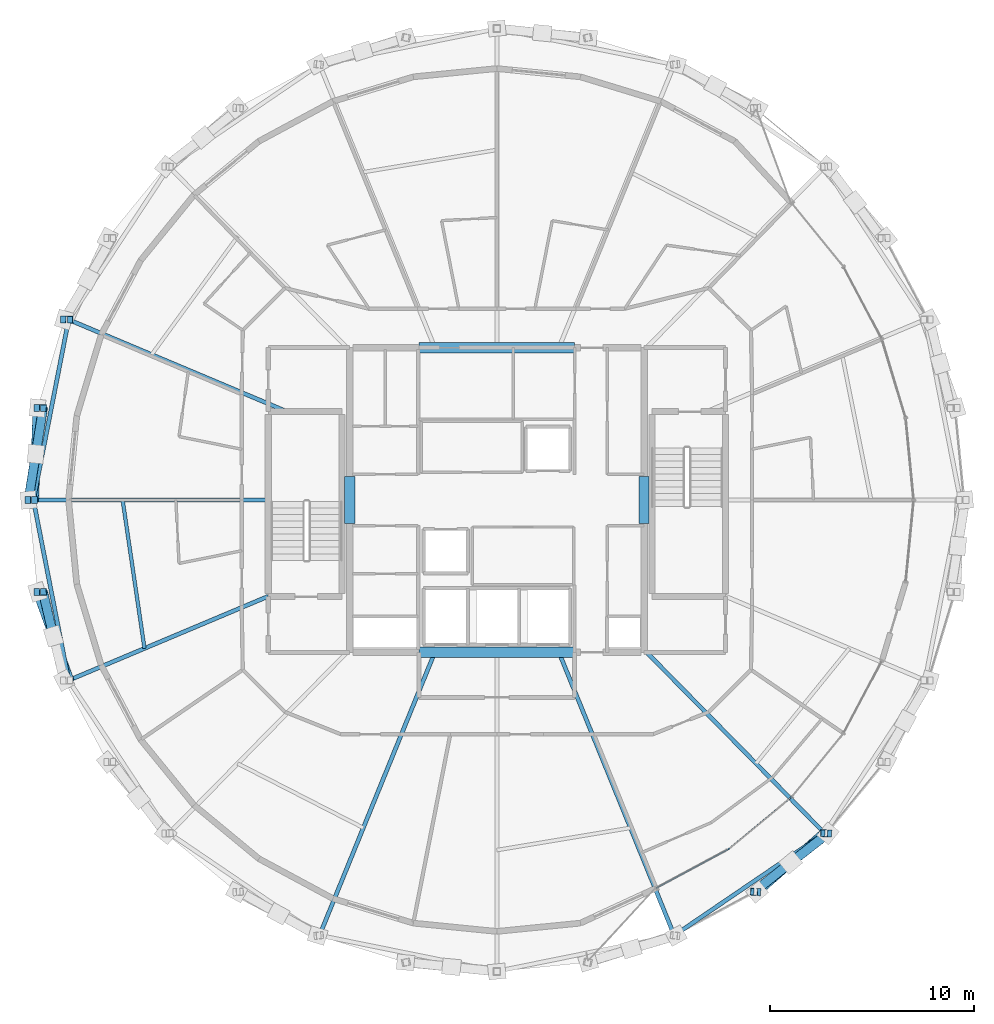
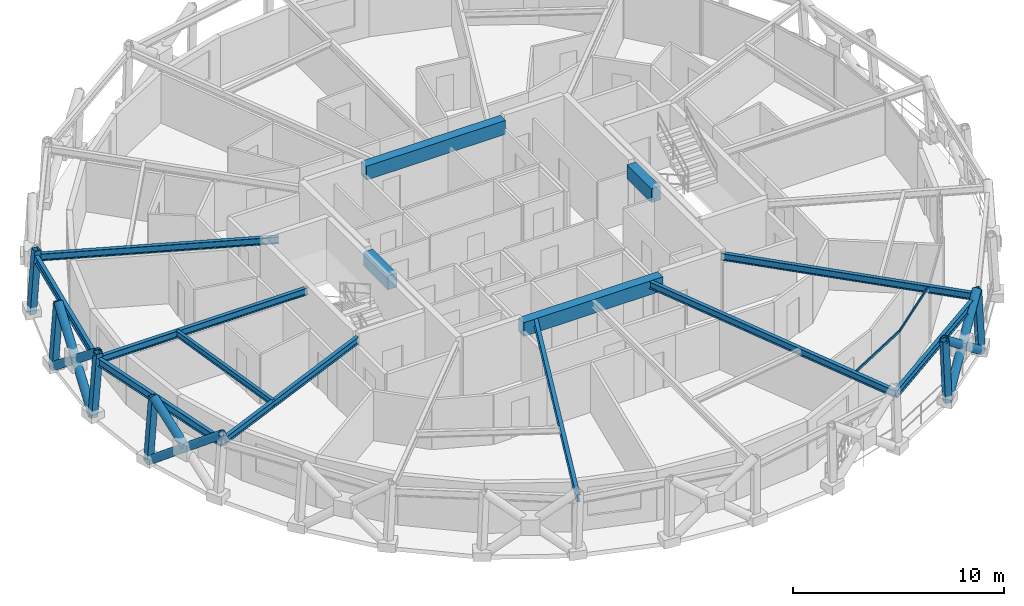
# One storey, part 3 of 15: 16 members, 14 beams, 1 element without a shape of its own.
"""IFC4 building model written with IfcOpenShell, lengths in metres."""

from ifc_helpers import new_model, si_unit, direction, frame, origin, origin_2d, place, context, subcontext, project, spatial, rectangle, hollow_rectangle, hollow_circle, i_section, extrude, material, layer, layer_set, material_profile, profile_set, type_object, element, aggregate, save


model = new_model("IFC4")

# Units and contexts
model_context = context("Model", 3, precision=1e-05, world=origin(), true_north=direction((0.0, 1.0)))
body_context = subcontext(model_context, "Body", "Model", "MODEL_VIEW")
ifc_project = project(units=[si_unit("LENGTHUNIT", "METRE"), si_unit("AREAUNIT", "SQUARE_METRE"), si_unit("VOLUMEUNIT", "CUBIC_METRE"), si_unit("PLANEANGLEUNIT", "RADIAN"), si_unit("MASSUNIT", "GRAM", prefix="KILO")], contexts=[model_context])

# Site, building, storey
site_placement = place(None, origin())
site = spatial("IfcSite", under=ifc_project, at=site_placement, CompositionType="ELEMENT")
building_placement = place(site_placement, origin())
building = spatial("IfcBuilding", under=site, at=building_placement, Name="Veldorina Hangang Commons", CompositionType="ELEMENT")
storey_placement = place(building_placement, frame((0.0, 0.0, 250.800048828125)))
storey = spatial("IfcBuildingStorey", under=building, at=storey_placement, Name="L65", CompositionType="ELEMENT", Elevation=250.800048828125)

# Beams
ifc_material_1 = material(Name="Concrete C50/60", Category="concrete")
ifc_material_profile_1 = material_profile(ifc_material_1, rectangle(XDim=0.5, YDim=0.800048828125, at=origin_2d()), Name="RC-CB-500x800")
ifc_profile_set_1 = profile_set([ifc_material_profile_1], Name="Concrete C50/60")
beam_type_1 = type_object("IfcBeamType", Name="BM-CB800", PredefinedType="LINTEL", material=ifc_profile_set_1)
for number, where, z_axis, x_axis, name in (
    (1, (24.800048828125, 22.85009765625, 2.9599609375), (0.0, 1.0, 0.0), (-1.0, 0.0, 0.0), "L65 W core coupling lintel beam"),
    (2, (39.199951171875, 22.85009765625, 2.9599609375), (0.0, 1.0, 0.0), (-1.0, 0.0, 0.0), "L65 E core coupling lintel beam"),
):
    element("IfcBeam", number, at=place(storey_placement, frame(where, z_axis=z_axis, x_axis=x_axis)), inside=storey, type_object=beam_type_1, Name=name, PredefinedType="LINTEL", context=body_context, shape_type="SweptSolid", body=[
        extrude(rectangle(XDim=0.5, YDim=0.800048828125, at=origin_2d()), origin(), (0.0, 0.0, 1.0), 2.2998046875),
    ])
for number, where, z_axis, x_axis, name in (
    (3, (28.199951171875, 16.550048828125, 2.9599609375), (1.0, 0.0, 0.0), (0.0, 1.0, 0.0), "L65 south core coupling beam"),
    (4, (28.199951171875, 31.449951171875, 2.9599609375), (1.0, 0.0, 0.0), (0.0, 1.0, 0.0), "L65 north core coupling beam"),
):
    element("IfcBeam", number, at=place(storey_placement, frame(where, z_axis=z_axis, x_axis=x_axis)), inside=storey, type_object=beam_type_1, Name=name, PredefinedType="LINTEL", context=body_context, shape_type="SweptSolid", body=[
        extrude(rectangle(XDim=0.5, YDim=0.800048828125, at=origin_2d()), origin(), (0.0, 0.0, 1.0), 7.60009765625),
    ])
ifc_material_2 = material(Name="Steel SM355-TMC", Category="steel")
ifc_material_profile_2 = material_profile(ifc_material_2, i_section(OverallWidth=0.199951171875, OverallDepth=0.39990234375, WebThickness=0.008056640625, FlangeThickness=0.012939453125, FilletRadius=0.012939453125, at=origin_2d()), Name="H-400x200x8x13")
ifc_profile_set_2 = profile_set([ifc_material_profile_2], Name="Steel SM355-TMC")
beam_type_2 = type_object("IfcBeamType", Name="BM-FG400", PredefinedType="BEAM", material=ifc_profile_set_2)
beam_1_placement = place(storey_placement, frame((21.743408203125, 28.320068359375, 3.159912109375), z_axis=(-0.921596519665, 0.388149268892, 0.0), x_axis=(-0.388149268892, -0.921596519665, 0.0)))
element("IfcBeam", 5, at=beam_1_placement, inside=storey, type_object=beam_type_2, Name="L65 radial floor girder 08", PredefinedType="BEAM", context=body_context, shape_type="SweptSolid", body=[
    extrude(i_section(OverallWidth=0.199951171875, OverallDepth=0.39990234375, WebThickness=0.008056640625, FlangeThickness=0.012939453125, FilletRadius=0.012939453125, at=origin_2d()), origin(), (0.0, 0.0, 1.0), 11.59228515625),
])
beam_2_placement = place(storey_placement, frame((20.820068359375, 24.0, 3.159912109375), z_axis=(-1.0, 0.0, 0.0), x_axis=(0.0, -1.0, 0.0)))
element("IfcBeam", 6, at=beam_2_placement, inside=storey, type_object=beam_type_2, Name="L65 radial floor girder 09", PredefinedType="BEAM", context=body_context, shape_type="SweptSolid", body=[
    extrude(i_section(OverallWidth=0.199951171875, OverallDepth=0.39990234375, WebThickness=0.008056640625, FlangeThickness=0.012939453125, FilletRadius=0.012939453125, at=origin_2d()), origin(), (0.0, 0.0, 1.0), 11.4853515625),
])
beam_3_placement = place(storey_placement, frame((20.820068359375, 19.291015625, 3.159912109375), z_axis=(-0.921597617778, -0.388146661594, 0.0), x_axis=(0.388146661594, -0.921597617778, 0.0)))
element("IfcBeam", 7, at=beam_3_placement, inside=storey, type_object=beam_type_2, Name="L65 radial floor girder 10", PredefinedType="BEAM", context=body_context, shape_type="SweptSolid", body=[
    extrude(i_section(OverallWidth=0.199951171875, OverallDepth=0.39990234375, WebThickness=0.008056640625, FlangeThickness=0.012939453125, FilletRadius=0.012939453125, at=origin_2d()), origin(), (0.0, 0.0, 1.0), 10.59033203125),
])
for number, where, z_axis, x_axis, name in (
    (8, (28.965087890625, 16.550048828125, 3.159912109375), (-0.377240852763, -0.926115186684, 0.0), (0.926115186684, -0.377240852763, 0.0), "L65 radial floor girder 12"),
    (9, (35.034912109375, 16.550048828125, 3.159912109375), (0.377240852763, -0.926115186684, 0.0), (0.926115186684, 0.377240852763, 0.0), "L65 radial floor girder 14"),
):
    element("IfcBeam", number, at=place(storey_placement, frame(where, z_axis=z_axis, x_axis=x_axis)), inside=storey, type_object=beam_type_2, Name=name, PredefinedType="BEAM", context=body_context, shape_type="SweptSolid", body=[
        extrude(i_section(OverallWidth=0.199951171875, OverallDepth=0.39990234375, WebThickness=0.008056640625, FlangeThickness=0.012939453125, FilletRadius=0.012939453125, at=origin_2d()), origin(), (0.0, 0.0, 1.0), 14.947021484375),
    ])
beam_4_placement = place(storey_placement, frame((39.199951171875, 16.6787109375, 3.159912109375), z_axis=(0.701176597394, -0.712987643138, 0.0), x_axis=(0.712987643138, 0.701176597394, 0.0)))
element("IfcBeam", 10, at=beam_4_placement, inside=storey, type_object=beam_type_2, Name="L65 radial floor girder 15", PredefinedType="BEAM", context=body_context, shape_type="SweptSolid", body=[
    extrude(i_section(OverallWidth=0.199951171875, OverallDepth=0.39990234375, WebThickness=0.008056640625, FlangeThickness=0.012939453125, FilletRadius=0.012939453125, at=origin_2d()), origin(), (0.0, 0.0, 1.0), 12.58837890625),
])
ifc_material_profile_3 = material_profile(ifc_material_2, i_section(OverallWidth=0.175048828125, OverallDepth=0.35009765625, WebThickness=0.007080078125, FlangeThickness=0.010986328125, FilletRadius=0.012939453125, at=origin_2d()), Name="H-350x175x7x11")
ifc_profile_set_3 = profile_set([ifc_material_profile_3], Name="Steel SM355-TMC")
beam_type_3 = type_object("IfcBeamType", Name="BM-JST350", PredefinedType="JOIST", material=ifc_profile_set_3)
beam_5_placement = place(storey_placement, frame((13.69921875, 24.0, 3.18505859375), z_axis=(0.145799618377, -0.989314141859, 0.0), x_axis=(0.989314141859, 0.145799618377, 0.0)))
element("IfcBeam", 11, at=beam_5_placement, inside=storey, type_object=beam_type_3, Name="L65 secondary floor joist 09", PredefinedType="JOIST", context=body_context, shape_type="SweptSolid", body=[
    extrude(i_section(OverallWidth=0.175048828125, OverallDepth=0.35009765625, WebThickness=0.007080078125, FlangeThickness=0.010986328125, FilletRadius=0.012939453125, at=origin_2d()), origin(), (0.0, 0.0, 1.0), 7.3359375),
])
ifc_material_profile_4 = material_profile(ifc_material_2, i_section(OverallWidth=0.199951171875, OverallDepth=0.449951171875, WebThickness=0.009033203125, FlangeThickness=0.013916015625, FilletRadius=0.01611328125, at=origin_2d()), Name="H-450x200x9x14")
ifc_profile_set_4 = profile_set([ifc_material_profile_4], Name="Steel SM355-TMC")
beam_type_4 = type_object("IfcBeamType", Name="BM-RB450", PredefinedType="BEAM", material=ifc_profile_set_4)
for number, where, z_axis, x_axis, name in (
    (12, (11.06005859375, 32.819580078125, 3.135009765625), (-0.19198714763, -0.981397439952, 0.0), (0.981397439952, -0.19198714763, 0.0), "L65 perimeter hoop ring beam 14"),
    (13, (9.334716796875, 24.0, 3.135009765625), (0.19198714763, -0.981397439952, 0.0), (0.981397439952, 0.19198714763, 0.0), "L65 perimeter hoop ring beam 16"),
):
    element("IfcBeam", number, at=place(storey_placement, frame(where, z_axis=z_axis, x_axis=x_axis)), inside=storey, type_object=beam_type_4, Name=name, PredefinedType="BEAM", context=body_context, shape_type="SweptSolid", body=[
        extrude(i_section(OverallWidth=0.199951171875, OverallDepth=0.449951171875, WebThickness=0.009033203125, FlangeThickness=0.013916015625, FilletRadius=0.01611328125, at=origin_2d()), origin(), (0.0, 0.0, 1.0), 8.98681640625),
    ])
beam_6_placement = place(storey_placement, frame((40.673583984375, 2.707275390625, 3.135009765625), z_axis=(0.827133831343, 0.562005004469, 0.0), x_axis=(-0.562005004469, 0.827133831343, 0.0)))
element("IfcBeam", 14, at=beam_6_placement, inside=storey, type_object=beam_type_4, Name="L65 perimeter hoop ring beam 26", PredefinedType="BEAM", context=body_context, shape_type="SweptSolid", body=[
    extrude(i_section(OverallWidth=0.199951171875, OverallDepth=0.449951171875, WebThickness=0.009033203125, FlangeThickness=0.013916015625, FilletRadius=0.01611328125, at=origin_2d()), origin(), (0.0, 0.0, 1.0), 8.8896484375),
])

# Curtain wall, members
ifc_material_3 = material(Name="Glass Low-E Selective", Category="glass")
ifc_layer = layer(ifc_material_3, 0.179931640625)
ifc_layer_set = layer_set([ifc_layer], Name="Glass Low-E Selective")
curtain_wall_type = type_object("IfcCurtainWallType", Name="CW-SYS-Z3", PredefinedType="NOTDEFINED", material=ifc_layer_set)
curtain_wall_placement = place(storey_placement, origin())
curtain_wall = element("IfcCurtainWall", 15, at=curtain_wall_placement, inside=storey, type_object=curtain_wall_type, Name="L65 unitised curtain wall CW-L65-R1", PredefinedType="NOTDEFINED")
ifc_material_4 = material(Name="Aluminium Anodized AA6063-T6", Category="aluminium")
ifc_material_profile_5 = material_profile(ifc_material_4, hollow_rectangle(XDim=0.06005859375, YDim=0.139892578125, WallThickness=0.00341796875, at=origin_2d()), Name="ALU-RHS-140x60x3.5")
ifc_profile_set_5 = profile_set([ifc_material_profile_5], Name="Aluminium Anodized AA6063-T6")
member_type_1 = type_object("IfcMemberType", Name="CW-TRN-140", PredefinedType="USERDEFINED", material=ifc_profile_set_5)
member_1_placement = place(storey_placement, frame((39.801025390625, 5.025634765625, 3.280029296875), z_axis=(0.880451515229, 0.474136192809, 0.0), x_axis=(-0.474136192809, 0.880451515229, 0.0)))
member_1 = element("IfcMember", 16, at=member_1_placement, type_object=member_type_1, Name="CW-L65-R1 facet 1 transom 1", ObjectType="TRANSOM", PredefinedType="USERDEFINED", context=body_context, shape_type="SweptSolid", body=[
    extrude(hollow_rectangle(XDim=0.06005859375, YDim=0.139892578125, WallThickness=0.00341796875, at=origin_2d()), origin(), (0.0, 0.0, 1.0), 4.0029296875),
])
member_2_placement = place(storey_placement, frame((43.325439453125, 6.923583984375, 3.280029296875), z_axis=(0.770676909602, 0.637226098811, 0.0), x_axis=(-0.637226098811, 0.770676909602, 0.0)))
member_2 = element("IfcMember", 17, at=member_2_placement, type_object=member_type_1, Name="CW-L65-R1 facet 2 transom 1", ObjectType="TRANSOM", PredefinedType="USERDEFINED", context=body_context, shape_type="SweptSolid", body=[
    extrude(hollow_rectangle(XDim=0.06005859375, YDim=0.139892578125, WallThickness=0.00341796875, at=origin_2d()), origin(), (0.0, 0.0, 1.0), 4.00830078125),
])
aggregate(curtain_wall, [member_1, member_2])

# Members
ifc_material_profile_6 = material_profile(ifc_material_2, hollow_circle(Radius=0.22509765625, WallThickness=0.02197265625, at=origin_2d()), Name="CHS-450x22")
ifc_profile_set_6 = profile_set([ifc_material_profile_6], Name="Steel SM355-TMC")
member_type_2 = type_object("IfcMemberType", Name="DG-CHS450", PredefinedType="BRACE", material=ifc_profile_set_6)
member_3_placement = place(storey_placement, frame((9.534912109375, 28.498291015625, 0.0), z_axis=(-0.028549330133, -0.780447192431, 0.624569544227), x_axis=(0.999331595742, -0.036556281983, 0.0)))
element("IfcMember", 18, at=member_3_placement, inside=storey, type_object=member_type_2, Name="L65 continuous perimeter diagrid brace 15", PredefinedType="BRACE", context=body_context, shape_type="SweptSolid", body=[
    extrude(hollow_circle(Radius=0.22509765625, WallThickness=0.02197265625, at=origin_2d()), origin(), (0.0, 0.0, 1.0), 5.763671875),
])
member_4_placement = place(storey_placement, frame((9.0947265625, 24.0, 0.0), z_axis=(0.123300472375, 0.77462302222, 0.620287164916), x_axis=(-0.987567446504, 0.157195860649, 0.0)))
element("IfcMember", 19, at=member_4_placement, inside=storey, type_object=member_type_2, Name="L65 split perimeter diagrid lower brace 16", PredefinedType="BRACE", context=body_context, shape_type="SweptSolid", body=[
    extrude(hollow_circle(Radius=0.22509765625, WallThickness=0.02197265625, at=origin_2d()), origin(), (0.0, 0.0, 1.0), 2.90283203125),
])
member_5_placement = place(storey_placement, frame((9.45263671875, 26.24853515625, 1.800537109375), z_axis=(0.121541040245, 0.774866216408, 0.620330655543), x_axis=(-0.987920814912, 0.154959554283, 0.0)))
element("IfcMember", 20, at=member_5_placement, inside=storey, type_object=member_type_2, Name="L65 split perimeter diagrid upper brace 16", PredefinedType="BRACE", context=body_context, shape_type="SweptSolid", body=[
    extrude(hollow_circle(Radius=0.22509765625, WallThickness=0.02197265625, at=origin_2d()), origin(), (0.0, 0.0, 1.0), 2.900634765625),
])
member_6_placement = place(storey_placement, frame((9.534912109375, 19.501708984375, 0.0), z_axis=(0.266993264267, -0.740402192259, 0.616862375684), x_axis=(0.940705682366, 0.339223848167, 0.0)))
element("IfcMember", 21, at=member_6_placement, inside=storey, type_object=member_type_2, Name="L65 continuous perimeter diagrid brace 17", PredefinedType="BRACE", context=body_context, shape_type="SweptSolid", body=[
    extrude(hollow_circle(Radius=0.22509765625, WallThickness=0.02197265625, at=origin_2d()), origin(), (0.0, 0.0, 1.0), 5.835693359375),
])
member_7_placement = place(storey_placement, frame((10.314453125, 17.339599609375, 1.80126953125), z_axis=(-0.178081073983, 0.756801879607, 0.628918155337), x_axis=(-0.973414288146, -0.229051574176, 0.0)))
element("IfcMember", 22, at=member_7_placement, inside=storey, type_object=member_type_2, Name="L65 split perimeter diagrid upper brace 18", PredefinedType="BRACE", context=body_context, shape_type="SweptSolid", body=[
    extrude(hollow_circle(Radius=0.22509765625, WallThickness=0.02197265625, at=origin_2d()), origin(), (0.0, 0.0, 1.0), 2.85986328125),
])
member_8_placement = place(storey_placement, frame((44.725341796875, 4.828369140625, 0.0), z_axis=(0.579475783235, 0.508698466839, 0.636736748178), x_axis=(-0.659720954869, 0.751510653089, 0.0)))
element("IfcMember", 23, at=member_8_placement, inside=storey, type_object=member_type_2, Name="L65 continuous perimeter diagrid brace 27", PredefinedType="BRACE", context=body_context, shape_type="SweptSolid", body=[
    extrude(hollow_circle(Radius=0.22509765625, WallThickness=0.02197265625, at=origin_2d()), origin(), (0.0, 0.0, 1.0), 5.653564453125),
])
member_9_placement = place(storey_placement, frame((48.1962890625, 7.69580078125, 0.0), z_axis=(-0.621903057477, -0.484773557966, 0.615005028108), x_axis=(0.614786687775, -0.788693431274, 0.0)))
element("IfcMember", 24, at=member_9_placement, inside=storey, type_object=member_type_2, Name="L65 split perimeter diagrid lower brace 28", PredefinedType="BRACE", context=body_context, shape_type="SweptSolid", body=[
    extrude(hollow_circle(Radius=0.22509765625, WallThickness=0.02197265625, at=origin_2d()), origin(), (0.0, 0.0, 1.0), 2.9375),
])
member_10_placement = place(storey_placement, frame((46.369384765625, 6.271728515625, 1.806640625), z_axis=(-0.616416179252, -0.491642356798, 0.615076326125), x_axis=(0.623541631746, -0.781790146701, 0.0)))
element("IfcMember", 25, at=member_10_placement, inside=storey, type_object=member_type_2, Name="L65 split perimeter diagrid upper brace 28", PredefinedType="BRACE", context=body_context, shape_type="SweptSolid", body=[
    extrude(hollow_circle(Radius=0.22509765625, WallThickness=0.02197265625, at=origin_2d()), origin(), (0.0, 0.0, 1.0), 2.91552734375),
])
ifc_material_profile_7 = material_profile(ifc_material_2, hollow_rectangle(XDim=0.35009765625, YDim=0.35009765625, WallThickness=0.01611328125, at=origin_2d()), Name="SHS-350x350x16")
ifc_profile_set_7 = profile_set([ifc_material_profile_7], Name="Steel SM355-TMC")
member_type_3 = type_object("IfcMemberType", Name="STR-SHS350", PredefinedType="STRUT", material=ifc_profile_set_7)
member_11_placement = place(storey_placement, frame((10.83837890625, 32.82373046875, 0.0), z_axis=(0.070559480211, -0.001285359659, 0.997506745643), x_axis=(0.018213660818, 0.999834117521, 0.0)))
element("IfcMember", 26, at=member_11_placement, inside=storey, type_object=member_type_3, Name="L65 perimeter ring node post 14", PredefinedType="STRUT", context=body_context, shape_type="SweptSolid", body=[
    extrude(hollow_rectangle(XDim=0.35009765625, YDim=0.35009765625, WallThickness=0.01611328125, at=origin_2d()), origin(), (0.0, 0.0, 1.0), 3.60888671875),
])
member_12_placement = place(storey_placement, frame((9.534912109375, 28.498291015625, 0.0), z_axis=(0.074865591518, -0.000608663346, 0.997193448001), x_axis=(0.008129812622, 0.999966952527, 0.0)))
element("IfcMember", 27, at=member_12_placement, inside=storey, type_object=member_type_3, Name="L65 perimeter ring node post 15", PredefinedType="STRUT", context=body_context, shape_type="SweptSolid", body=[
    extrude(hollow_rectangle(XDim=0.35009765625, YDim=0.35009765625, WallThickness=0.01611328125, at=origin_2d()), origin(), (0.0, 0.0, 1.0), 3.60986328125),
])
member_13_placement = place(storey_placement, frame((9.0947265625, 24.0, 0.0), z_axis=(0.076344861449, 0.0, 0.997081472163), x_axis=(0.0, 1.0, 0.0)))
element("IfcMember", 28, at=member_13_placement, inside=storey, type_object=member_type_3, Name="L65 perimeter ring node post 16", PredefinedType="STRUT", context=body_context, shape_type="SweptSolid", body=[
    extrude(hollow_rectangle(XDim=0.35009765625, YDim=0.35009765625, WallThickness=0.01611328125, at=origin_2d()), origin(), (0.0, 0.0, 1.0), 3.6103515625),
])
member_14_placement = place(storey_placement, frame((9.534912109375, 19.501708984375, 0.0), z_axis=(0.074865591518, 0.000608663346, 0.997193448001), x_axis=(-0.008129812622, 0.999966952527, 0.0)))
element("IfcMember", 29, at=member_14_placement, inside=storey, type_object=member_type_3, Name="L65 perimeter ring node post 17", PredefinedType="STRUT", context=body_context, shape_type="SweptSolid", body=[
    extrude(hollow_rectangle(XDim=0.35009765625, YDim=0.35009765625, WallThickness=0.01611328125, at=origin_2d()), origin(), (0.0, 0.0, 1.0), 3.60986328125),
])
member_15_placement = place(storey_placement, frame((44.725341796875, 4.828369140625, 0.0), z_axis=(-0.04248433237, 0.00277808234, 0.999093270802), x_axis=(-0.065251392563, -0.997868856999, 0.0)))
element("IfcMember", 30, at=member_15_placement, inside=storey, type_object=member_type_3, Name="L65 perimeter ring node post 27", PredefinedType="STRUT", context=body_context, shape_type="SweptSolid", body=[
    extrude(hollow_rectangle(XDim=0.35009765625, YDim=0.35009765625, WallThickness=0.01611328125, at=origin_2d()), origin(), (0.0, 0.0, 1.0), 3.60302734375),
])
member_16_placement = place(storey_placement, frame((48.1962890625, 7.69580078125, 0.0), z_axis=(-0.054040804353, 0.002370210717, 0.998535915011), x_axis=(-0.043817524169, -0.999039551057, 0.0)))
element("IfcMember", 31, at=member_16_placement, inside=storey, type_object=member_type_3, Name="L65 perimeter ring node post 28", PredefinedType="STRUT", context=body_context, shape_type="SweptSolid", body=[
    extrude(hollow_rectangle(XDim=0.35009765625, YDim=0.35009765625, WallThickness=0.01611328125, at=origin_2d()), origin(), (0.0, 0.0, 1.0), 3.605224609375),
])

save(model, "model.ifc")
